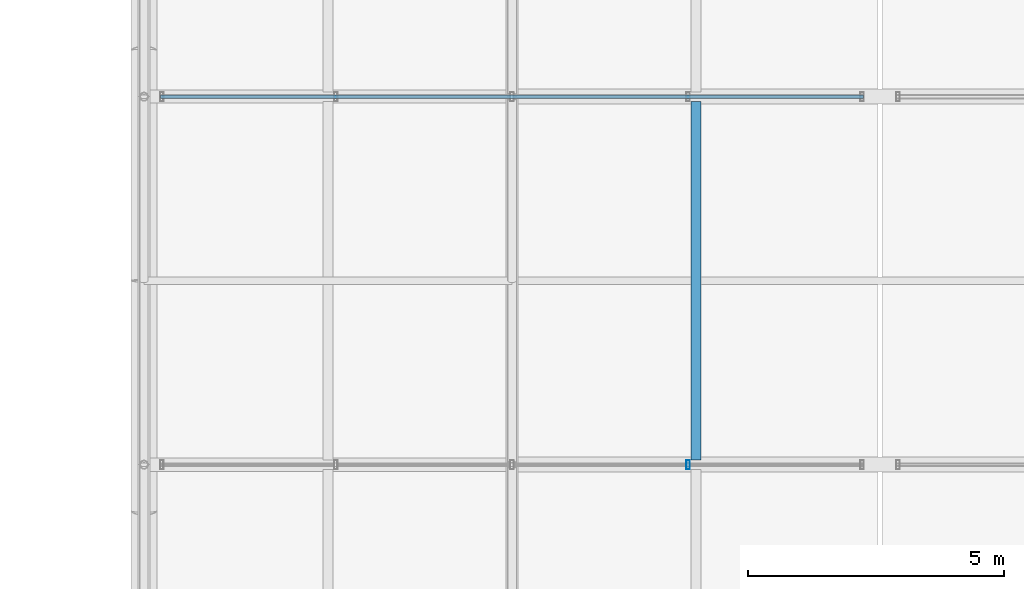
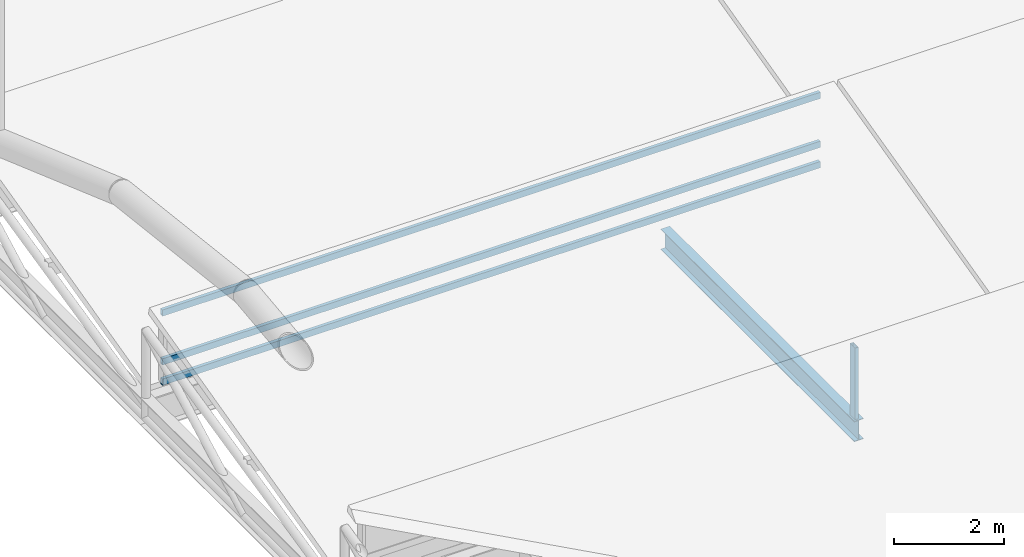
# One storey, part 70 of 144: 4 members, 1 beam, 2 elements without a shape of their own.
"""IFC4 building model written with IfcOpenShell, lengths in metres."""

from ifc_helpers import new_model, si_unit, direction, frame, origin, origin_2d, place, context, subcontext, project, spatial, hollow_rectangle, i_section, extrude, material, material_profile, profile_set, type_object, element, aggregate, save


model = new_model("IFC4")

# Units and contexts
model_context = context("Model", 3, precision=1e-05, world=origin(), true_north=direction((0.0, 1.0)))
body_context = subcontext(model_context, "Body", "Model", "MODEL_VIEW")
ifc_project = project(units=[si_unit("LENGTHUNIT", "METRE"), si_unit("AREAUNIT", "SQUARE_METRE"), si_unit("VOLUMEUNIT", "CUBIC_METRE"), si_unit("PLANEANGLEUNIT", "RADIAN"), si_unit("MASSUNIT", "GRAM", prefix="KILO")], contexts=[model_context])

# Site, building, storey
site_placement = place(None, origin())
site = spatial("IfcSite", under=ifc_project, at=site_placement, CompositionType="ELEMENT")
building_placement = place(site_placement, origin())
building = spatial("IfcBuilding", under=site, at=building_placement, Name="Yarey Park Central Fire Station", CompositionType="ELEMENT")
storey_placement = place(building_placement, frame((0.0, 0.0, 10.199951171875)))
storey = spatial("IfcBuildingStorey", under=building, at=storey_placement, Name="L03", CompositionType="ELEMENT", Elevation=10.199951171875)

# Curtain wall, member
ifc_material_1 = material(Name="Anodized Aluminium Frame", Category="aluminium")
curtain_wall_type = type_object("IfcCurtainWallType", Name="ENV_CW_SAW_18", PredefinedType="NOTDEFINED", material=ifc_material_1)
curtain_wall_1_placement = place(storey_placement, origin())
curtain_wall_1 = element("IfcCurtainWall", 1, at=curtain_wall_1_placement, inside=storey, type_object=curtain_wall_type, Name="CW_L03_SAW_4_1", PredefinedType="NOTDEFINED")
ifc_material_profile_1 = material_profile(ifc_material_1, hollow_rectangle(XDim=0.070068359375, YDim=0.179931640625, WallThickness=0.00390625, at=origin_2d()), Name="ALU 180x70x4")
ifc_profile_set_1 = profile_set([ifc_material_profile_1], Name="Anodized Aluminium Frame")
member_type_1 = type_object("IfcMemberType", Name="ENV_CW_MULLION", PredefinedType="MULLION", material=ifc_profile_set_1)
member_1_placement = place(storey_placement, frame((147.445068359375, 72.0, 0.0), z_axis=(0.0, 0.0, 1.0), x_axis=(1.0, 0.0, 0.0)))
member_1 = element("IfcMember", 2, at=member_1_placement, type_object=member_type_1, Name="CW_L03_SAW_4_1_MUL2", PredefinedType="MULLION", context=body_context, shape_type="SweptSolid", body=[
    extrude(hollow_rectangle(XDim=0.070068359375, YDim=0.179931640625, WallThickness=0.00390625, at=origin_2d()), origin(), (0.0, 0.0, 1.0), 1.580078125),
])
aggregate(curtain_wall_1, [member_1])

# Curtain wall, members
curtain_wall_2_placement = place(storey_placement, origin())
curtain_wall_2 = element("IfcCurtainWall", 3, at=curtain_wall_2_placement, inside=storey, type_object=curtain_wall_type, Name="CW_L03_SAW_5_1", PredefinedType="NOTDEFINED")
ifc_material_profile_2 = material_profile(ifc_material_1, hollow_rectangle(XDim=0.070068359375, YDim=0.139892578125, WallThickness=0.00390625, at=origin_2d()), Name="ALU 140x70x4")
ifc_profile_set_2 = profile_set([ifc_material_profile_2], Name="Anodized Aluminium Frame")
member_type_2 = type_object("IfcMemberType", Name="ENV_CW_TRANSOM", PredefinedType="USERDEFINED", material=ifc_profile_set_2)
member_2_placement = place(storey_placement, frame((150.875, 79.199951171875, 0.025146484375), z_axis=(-1.0, 0.0, 0.0), x_axis=(0.0, -1.0, 0.0)))
member_2 = element("IfcMember", 4, at=member_2_placement, type_object=member_type_2, Name="CW_L03_SAW_5_1_TRN1", ObjectType="TRANSOM", PredefinedType="USERDEFINED", context=body_context, shape_type="SweptSolid", body=[
    extrude(hollow_rectangle(XDim=0.070068359375, YDim=0.139892578125, WallThickness=0.00390625, at=origin_2d()), origin(), (0.0, 0.0, 1.0), 13.75),
])
member_3_placement = place(storey_placement, frame((150.875, 79.199951171875, 0.47412109375), z_axis=(-1.0, 0.0, 0.0), x_axis=(0.0, -1.0, 0.0)))
member_3 = element("IfcMember", 5, at=member_3_placement, type_object=member_type_2, Name="CW_L03_SAW_5_1_TRN2", ObjectType="TRANSOM", PredefinedType="USERDEFINED", context=body_context, shape_type="SweptSolid", body=[
    extrude(hollow_rectangle(XDim=0.070068359375, YDim=0.139892578125, WallThickness=0.00390625, at=origin_2d()), origin(), (0.0, 0.0, 1.0), 13.75),
])
member_4_placement = place(storey_placement, frame((150.875, 79.199951171875, 1.554931640625), z_axis=(-1.0, 0.0, 0.0), x_axis=(0.0, -1.0, 0.0)))
member_4 = element("IfcMember", 6, at=member_4_placement, type_object=member_type_2, Name="CW_L03_SAW_5_1_TRN3", ObjectType="TRANSOM", PredefinedType="USERDEFINED", context=body_context, shape_type="SweptSolid", body=[
    extrude(hollow_rectangle(XDim=0.070068359375, YDim=0.139892578125, WallThickness=0.00390625, at=origin_2d()), origin(), (0.0, 0.0, 1.0), 13.75),
])
aggregate(curtain_wall_2, [member_2, member_3, member_4])

# Beam
ifc_material_2 = material(Name="Steel ASTM A992 Gr. 50", Category="steel")
ifc_material_profile_3 = material_profile(ifc_material_2, i_section(OverallWidth=0.18994140625, OverallDepth=0.45703125, WebThickness=0.009033203125, FlangeThickness=0.014404296875, at=origin_2d()), Name="W460x74")
ifc_profile_set_3 = profile_set([ifc_material_profile_3], Name="Steel ASTM A992 Gr. 50")
beam_type = type_object("IfcBeamType", Name="STR_JST_W460", PredefinedType="JOIST", material=ifc_profile_set_3)
beam_placement = place(storey_placement, frame((147.60009765625, 72.094970703125, -0.408447265625), z_axis=(0.0, 1.0, 0.0), x_axis=(-1.0, 0.0, 0.0)))
element("IfcBeam", 7, at=beam_placement, inside=storey, type_object=beam_type, Name="JST L03 X1476 Y720", PredefinedType="JOIST", context=body_context, shape_type="SweptSolid", body=[
    extrude(i_section(OverallWidth=0.18994140625, OverallDepth=0.45703125, WebThickness=0.009033203125, FlangeThickness=0.014404296875, at=origin_2d()), origin(), (0.0, 0.0, 1.0), 7.010009765625),
])

save(model, "model.ifc")
